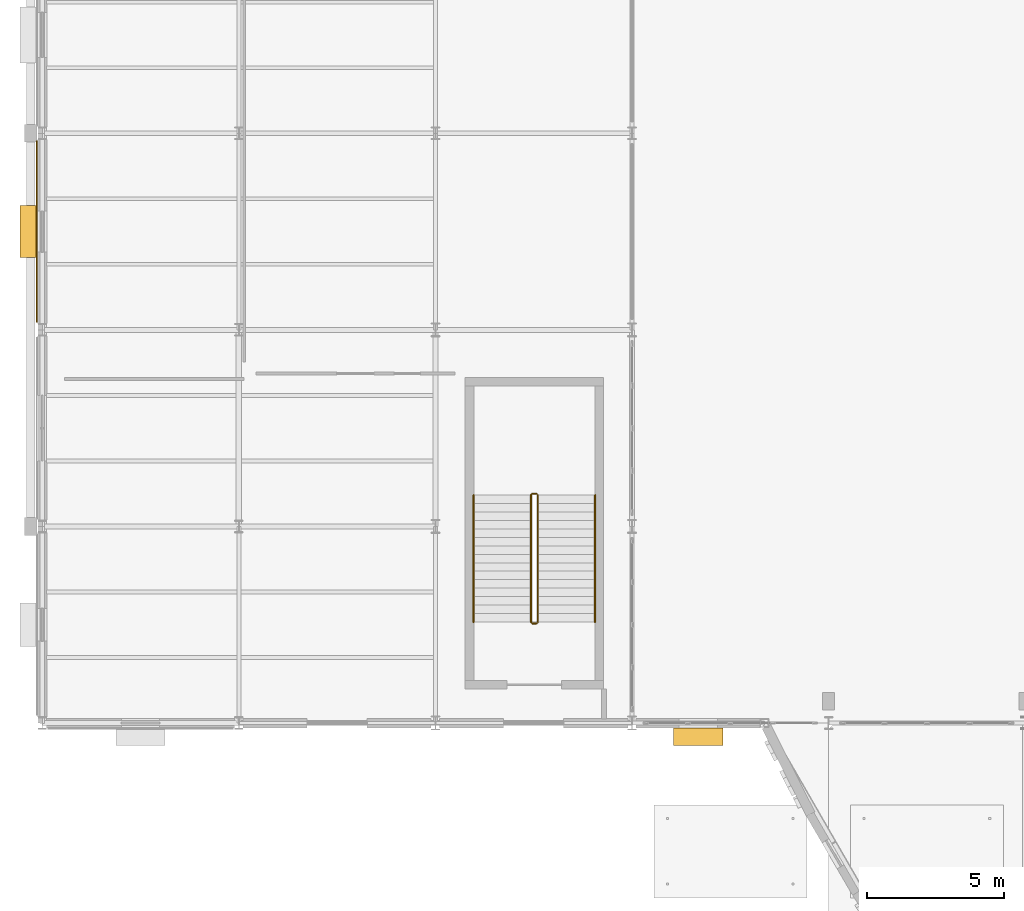
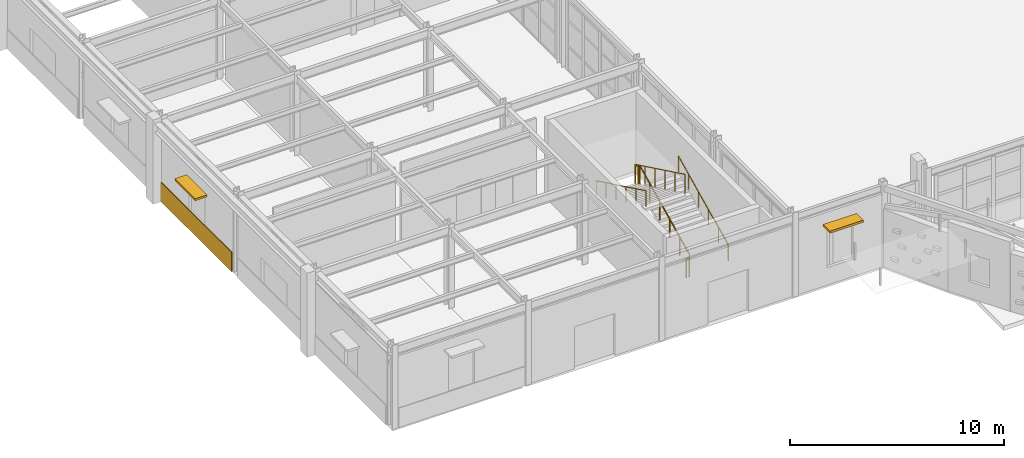
# One storey, part 71 of 83: 6 railings, 2 shading devices, 1 covering.
"""IFC4 building model written with IfcOpenShell, lengths in metres."""

from ifc_helpers import new_model, si_unit, direction, frame, origin, origin_2d, place, context, subcontext, project, spatial, rectangle, circle, extrude, material, layer, layer_set, type_object, element, save


model = new_model("IFC4")

# Units and contexts
model_context = context("Model", 3, precision=1e-05, world=origin(), true_north=direction((0.0, 1.0)))
body_context = subcontext(model_context, "Body", "Model", "MODEL_VIEW")
ifc_project = project(units=[si_unit("LENGTHUNIT", "METRE"), si_unit("AREAUNIT", "SQUARE_METRE"), si_unit("VOLUMEUNIT", "CUBIC_METRE"), si_unit("PLANEANGLEUNIT", "RADIAN"), si_unit("MASSUNIT", "GRAM", prefix="KILO")], contexts=[model_context])

# Site, building, storey
site_placement = place(None, origin())
site = spatial("IfcSite", under=ifc_project, at=site_placement, CompositionType="ELEMENT")
building_placement = place(site_placement, origin())
building = spatial("IfcBuilding", under=site, at=building_placement, Name="Solvadek Multi-Sports Hall", CompositionType="ELEMENT")
storey_placement = place(building_placement, origin())
storey = spatial("IfcBuildingStorey", under=building, at=storey_placement, Name="L00", CompositionType="ELEMENT", Elevation=0.0)

# Covering
ifc_material_1 = material(Name="Dressed honey-cream limestone ashlar", Category="masonry")
ifc_layer = layer(ifc_material_1, 0.044921875, Name="Dressed honey-cream limestone ashlar")
ifc_layer_set = layer_set([ifc_layer], Name="Dressed honey-cream limestone ashlar")
covering_type = type_object("IfcCoveringType", Name="ENV-COV-CLAD45", PredefinedType="CLADDING", material=ifc_layer_set)
covering_placement = place(storey_placement, frame((-0.197021484375, 38.39990234375, 0.0), z_axis=(0.0, 0.0, 1.0), x_axis=(0.0, 1.0, 0.0)))
element("IfcCovering", 1, at=covering_placement, inside=storey, type_object=covering_type, Name="Deccan Granite Plinth Cladding #3", PredefinedType="CLADDING", context=body_context, shape_type="SweptSolid", body=[
    extrude(rectangle(XDim=6.64208984375, YDim=0.044921875, at=origin_2d()), origin(), (0.0, 0.0, 1.0), 1.10009765625),
])

# Shading devices
ifc_material_2 = material(Name="Perforated champagne-bronze anodised aluminium", Category="aluminium")
shading_device_type = type_object("IfcShadingDeviceType", Name="ENV-SHD-CHAJJA2", PredefinedType="JALOUSIE", material=ifc_material_2)
shading_device_1_placement = place(storey_placement, frame((-0.494384765625, 38.39990234375, 2.81982421875), z_axis=(0.0, 0.0, 1.0), x_axis=(0.0, 1.0, 0.0)))
element("IfcShadingDevice", 2, at=shading_device_1_placement, inside=storey, type_object=shading_device_type, Name="L00 Chajja Solar Shading Hood #6", PredefinedType="JALOUSIE", context=body_context, shape_type="SweptSolid", body=[
    extrude(rectangle(XDim=1.89990234375, YDim=0.639892578125, at=origin_2d()), origin(), (0.0, 0.0, 1.0), 0.1201171875),
])
shading_device_2_placement = place(storey_placement, frame((24.02734375, 19.905517578125, 3.419921875), z_axis=(0.0, 0.0, 1.0), x_axis=(1.0, 0.0, 0.0)))
element("IfcShadingDevice", 3, at=shading_device_2_placement, inside=storey, type_object=shading_device_type, Name="L00 Chajja Solar Shading Hood #53", PredefinedType="JALOUSIE", context=body_context, shape_type="SweptSolid", body=[
    extrude(rectangle(XDim=1.800048828125, YDim=0.639892578125, at=origin_2d()), origin(), (0.0, 0.0, 1.0), 0.1201171875),
])

# Railings
ifc_material_3 = material(Name="Steel E250 (250 MPa)", Category="steel")
railing_type_1 = type_object("IfcRailingType", Name="INT-RAL-GRD115", PredefinedType="BALUSTRADE", material=ifc_material_3)
railing_1_placement = place(storey_placement, frame((18.14990234375, 24.10009765625, 0.14990234375)))
element("IfcRailing", 4, at=railing_1_placement, inside=storey, type_object=railing_type_1, Name="L00 ST-01 stair guard 1", PredefinedType="BALUSTRADE", context=body_context, shape_type="SweptSolid", body=[
    extrude(circle(Radius=0.02392578125, at=origin_2d()), frame((0.0, 0.0, 1.076171875), z_axis=(0.0, 0.900155664878, 0.435568340204), x_axis=(-1.0, 0.0, 0.0)), (0.0, 0.0, 1.0), 5.165771484375),
    extrude(circle(Radius=0.02099609375, at=origin_2d()), origin(), (0.0, 0.0, 1.0), 1.052001953125),
    extrude(circle(Radius=0.02099609375, at=origin_2d()), frame((0.0, 0.929931640625, 0.449951171875)), (0.0, 0.0, 1.0), 1.052001953125),
    extrude(circle(Radius=0.02099609375, at=origin_2d()), frame((0.0, 1.85986328125, 0.89990234375)), (0.0, 0.0, 1.0), 1.052001953125),
    extrude(circle(Radius=0.02099609375, at=origin_2d()), frame((0.0, 2.7900390625, 1.35009765625)), (0.0, 0.0, 1.0), 1.052001953125),
    extrude(circle(Radius=0.02099609375, at=origin_2d()), frame((0.0, 3.719970703125, 1.800048828125)), (0.0, 0.0, 1.0), 1.052001953125),
    extrude(circle(Radius=0.02099609375, at=origin_2d()), frame((0.0, 4.64990234375, 2.25)), (0.0, 0.0, 1.0), 1.052001953125),
])
railing_2_placement = place(storey_placement, frame((18.10009765625, 28.800048828125, 2.39990234375)))
element("IfcRailing", 5, at=railing_2_placement, inside=storey, type_object=railing_type_1, Name="L00 ST-01 stair guard 2", PredefinedType="BALUSTRADE", context=body_context, shape_type="SweptSolid", body=[
    extrude(circle(Radius=0.02392578125, at=origin_2d()), frame((0.0, 0.0, 1.076171875), z_axis=(-1.0, 0.0, 0.0), x_axis=(0.0, -1.0, 0.0)), (0.0, 0.0, 1.0), 0.150146484375),
    extrude(circle(Radius=0.02099609375, at=origin_2d()), origin(), (0.0, 0.0, 1.0), 1.052001953125),
    extrude(circle(Radius=0.02099609375, at=origin_2d()), frame((-0.150146484375, 0.0, 0.0)), (0.0, 0.0, 1.0), 1.052001953125),
])
railing_3_placement = place(storey_placement, frame((17.89990234375, 28.75, 2.550048828125)))
element("IfcRailing", 6, at=railing_3_placement, inside=storey, type_object=railing_type_1, Name="L00 ST-01 stair guard 3", PredefinedType="BALUSTRADE", context=body_context, shape_type="SweptSolid", body=[
    extrude(circle(Radius=0.02392578125, at=origin_2d()), frame((0.0, 0.0, 1.076171875), z_axis=(0.0, -0.900155664878, 0.435568340204), x_axis=(1.0, 0.0, 0.0)), (0.0, 0.0, 1.0), 5.165771484375),
    extrude(circle(Radius=0.02099609375, at=origin_2d()), origin(), (0.0, 0.0, 1.0), 1.052001953125),
    extrude(circle(Radius=0.02099609375, at=origin_2d()), frame((0.0, -0.929931640625, 0.449951171875)), (0.0, 0.0, 1.0), 1.052001953125),
    extrude(circle(Radius=0.02099609375, at=origin_2d()), frame((0.0, -1.85986328125, 0.89990234375)), (0.0, 0.0, 1.0), 1.052001953125),
    extrude(circle(Radius=0.02099609375, at=origin_2d()), frame((0.0, -2.7900390625, 1.35009765625)), (0.0, 0.0, 1.0), 1.052001953125),
    extrude(circle(Radius=0.02099609375, at=origin_2d()), frame((0.0, -3.719970703125, 1.800048828125)), (0.0, 0.0, 1.0), 1.052001953125),
    extrude(circle(Radius=0.02099609375, at=origin_2d()), frame((0.0, -4.64990234375, 2.25)), (0.0, 0.0, 1.0), 1.052001953125),
])
railing_4_placement = place(storey_placement, frame((18.10009765625, 24.050048828125, 0.0)))
element("IfcRailing", 7, at=railing_4_placement, inside=storey, type_object=railing_type_1, Name="L00 ST-01 stair guard 4", PredefinedType="BALUSTRADE", context=body_context, shape_type="SweptSolid", body=[
    extrude(circle(Radius=0.02392578125, at=origin_2d()), frame((0.0, 0.0, 1.076171875), z_axis=(-1.0, 0.0, 0.0), x_axis=(0.0, -1.0, 0.0)), (0.0, 0.0, 1.0), 0.150146484375),
    extrude(circle(Radius=0.02099609375, at=origin_2d()), origin(), (0.0, 0.0, 1.0), 1.052001953125),
    extrude(circle(Radius=0.02099609375, at=origin_2d()), frame((-0.150146484375, 0.0, 0.0)), (0.0, 0.0, 1.0), 1.052001953125),
])
railing_type_2 = type_object("IfcRailingType", Name="INT-RAL-HND090", PredefinedType="HANDRAIL", material=ifc_material_3)
railing_5_placement = place(storey_placement, frame((20.25, 24.10009765625, 0.14990234375)))
element("IfcRailing", 8, at=railing_5_placement, inside=storey, type_object=railing_type_2, Name="L00 ST-01 stair handrail 1", PredefinedType="HANDRAIL", context=body_context, shape_type="SweptSolid", body=[
    extrude(circle(Radius=0.02392578125, at=origin_2d()), frame((0.0, 0.0, 0.8759765625), z_axis=(0.0, 0.900155664878, 0.435568340204), x_axis=(-1.0, 0.0, 0.0)), (0.0, 0.0, 1.0), 5.165771484375),
    extrude(circle(Radius=0.02099609375, at=origin_2d()), origin(), (0.0, 0.0, 1.0), 0.851806640625),
    extrude(circle(Radius=0.02099609375, at=origin_2d()), frame((0.0, 0.929931640625, 0.449951171875)), (0.0, 0.0, 1.0), 0.851806640625),
    extrude(circle(Radius=0.02099609375, at=origin_2d()), frame((0.0, 1.85986328125, 0.89990234375)), (0.0, 0.0, 1.0), 0.851806640625),
    extrude(circle(Radius=0.02099609375, at=origin_2d()), frame((0.0, 2.7900390625, 1.35009765625)), (0.0, 0.0, 1.0), 0.851806640625),
    extrude(circle(Radius=0.02099609375, at=origin_2d()), frame((0.0, 3.719970703125, 1.800048828125)), (0.0, 0.0, 1.0), 0.851806640625),
    extrude(circle(Radius=0.02099609375, at=origin_2d()), frame((0.0, 4.64990234375, 2.25)), (0.0, 0.0, 1.0), 0.851806640625),
])
railing_6_placement = place(storey_placement, frame((15.800048828125, 28.75, 2.550048828125)))
element("IfcRailing", 9, at=railing_6_placement, inside=storey, type_object=railing_type_2, Name="L00 ST-01 stair handrail 2", PredefinedType="HANDRAIL", context=body_context, shape_type="SweptSolid", body=[
    extrude(circle(Radius=0.02392578125, at=origin_2d()), frame((0.0, 0.0, 0.8759765625), z_axis=(0.0, -0.900155664878, 0.435568340204), x_axis=(1.0, 0.0, 0.0)), (0.0, 0.0, 1.0), 5.165771484375),
    extrude(circle(Radius=0.02099609375, at=origin_2d()), origin(), (0.0, 0.0, 1.0), 0.851806640625),
    extrude(circle(Radius=0.02099609375, at=origin_2d()), frame((0.0, -0.929931640625, 0.449951171875)), (0.0, 0.0, 1.0), 0.851806640625),
    extrude(circle(Radius=0.02099609375, at=origin_2d()), frame((0.0, -1.85986328125, 0.89990234375)), (0.0, 0.0, 1.0), 0.851806640625),
    extrude(circle(Radius=0.02099609375, at=origin_2d()), frame((0.0, -2.7900390625, 1.35009765625)), (0.0, 0.0, 1.0), 0.851806640625),
    extrude(circle(Radius=0.02099609375, at=origin_2d()), frame((0.0, -3.719970703125, 1.800048828125)), (0.0, 0.0, 1.0), 0.851806640625),
    extrude(circle(Radius=0.02099609375, at=origin_2d()), frame((0.0, -4.64990234375, 2.25)), (0.0, 0.0, 1.0), 0.851806640625),
])

save(model, "model.ifc")
